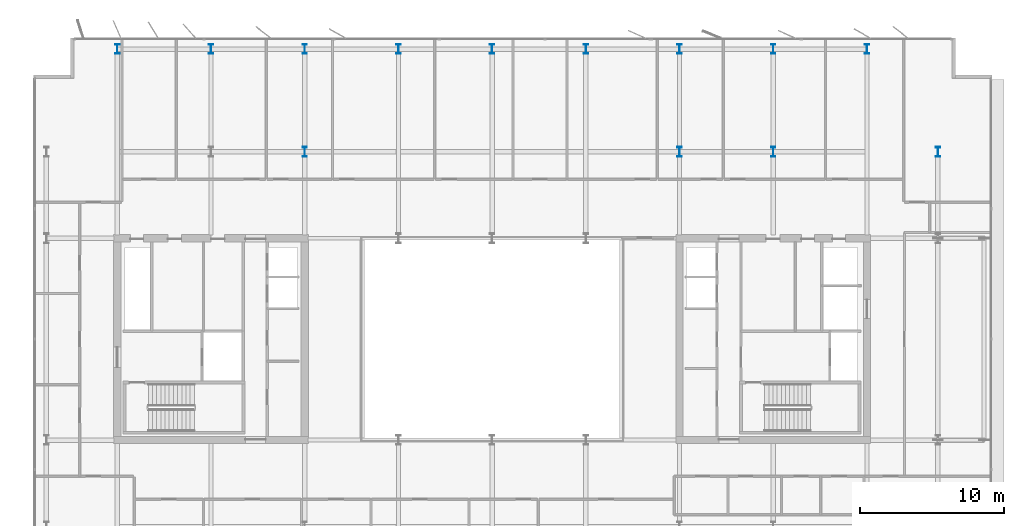
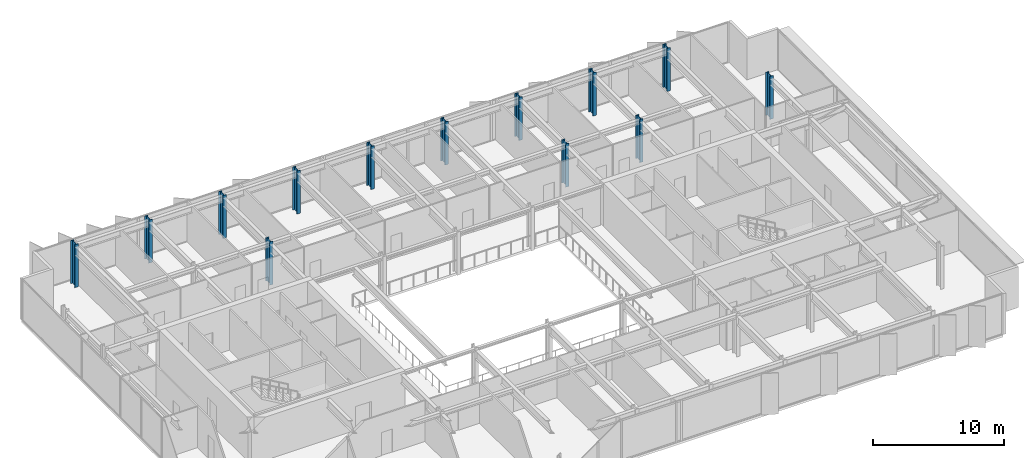
# One storey, part 3 of 20: 13 columns.
"""IFC4 building model written with IfcOpenShell, lengths in metres."""

from ifc_helpers import new_model, si_unit, direction, frame, origin, origin_2d, place, context, subcontext, project, spatial, i_section, extrude, material, material_profile, profile_set, type_object, element, save


model = new_model("IFC4")

# Units and contexts
model_context = context("Model", 3, precision=1e-05, world=origin(), true_north=direction((0.0, 1.0)))
body_context = subcontext(model_context, "Body", "Model", "MODEL_VIEW")
ifc_project = project(units=[si_unit("LENGTHUNIT", "METRE"), si_unit("AREAUNIT", "SQUARE_METRE"), si_unit("VOLUMEUNIT", "CUBIC_METRE"), si_unit("PLANEANGLEUNIT", "RADIAN"), si_unit("MASSUNIT", "GRAM", prefix="KILO")], contexts=[model_context])

# Site, building, storey
site_placement = place(None, origin())
site = spatial("IfcSite", under=ifc_project, at=site_placement, CompositionType="ELEMENT")
building_placement = place(site_placement, origin())
building = spatial("IfcBuilding", under=site, at=building_placement, Name="Putna Gate Headquarters", CompositionType="ELEMENT")
storey_placement = place(building_placement, frame((0.0, 0.0, 294.39990234375)))
storey = spatial("IfcBuildingStorey", under=building, at=storey_placement, Name="L74", CompositionType="ELEMENT", Elevation=294.39990234375)

# Columns
ifc_material = material(Name="Steel S460M", Category="steel")
ifc_material_profile_1 = material_profile(ifc_material, i_section(OverallWidth=0.304931640625, OverallDepth=0.66796875, WebThickness=0.02099609375, FlangeThickness=0.0400390625, at=origin_2d()), Name="Steel S460M")
ifc_profile_set_1 = profile_set([ifc_material_profile_1], Name="Steel S460M")
column_type_1 = type_object("IfcColumnType", Name="COL-STL-HEM650-EXT", PredefinedType="COLUMN", material=ifc_profile_set_1)
for number, where, z_axis, x_axis, name in (
    (1, (13.0, 46.1201171875, 0.0), (0.0, 0.0, 1.0), (1.0, 0.0, 0.0), "L74 Column CP-N13"),
    (2, (19.5, 46.1201171875, 0.0), (0.0, 0.0, 1.0), (1.0, 0.0, 0.0), "L74 Column CP-N19"),
    (3, (26.0, 46.1201171875, 0.0), (0.0, 0.0, 1.0), (1.0, 0.0, 0.0), "L74 Column CP-N26"),
    (4, (32.5, 46.1201171875, 0.0), (0.0, 0.0, 1.0), (1.0, 0.0, 0.0), "L74 Column CP-N32"),
    (5, (39.0, 46.1201171875, 0.0), (0.0, 0.0, 1.0), (1.0, 0.0, 0.0), "L74 Column CP-N39"),
    (6, (45.5, 46.1201171875, 0.0), (0.0, 0.0, 1.0), (1.0, 0.0, 0.0), "L74 Column CP-N45"),
    (7, (52.0, 46.1201171875, 0.0), (0.0, 0.0, 1.0), (1.0, 0.0, 0.0), "L74 Column CP-N52"),
    (8, (58.5, 46.1201171875, 0.0), (0.0, 0.0, 1.0), (1.0, 0.0, 0.0), "L74 Column CP-N58"),
    (9, (65.0, 46.1201171875, 0.0), (0.0, 0.0, 1.0), (1.0, 0.0, 0.0), "L74 Column CP-N65"),
    (10, (69.919921875, 39.0, 0.0), (0.0, 0.0, 1.0), (1.0, 0.0, 0.0), "L74 Column CP-E39"),
):
    element("IfcColumn", number, at=place(storey_placement, frame(where, z_axis=z_axis, x_axis=x_axis)), inside=storey, type_object=column_type_1, Name=name, PredefinedType="COLUMN", context=body_context, shape_type="SweptSolid", body=[
        extrude(i_section(OverallWidth=0.304931640625, OverallDepth=0.66796875, WebThickness=0.02099609375, FlangeThickness=0.0400390625, at=origin_2d()), origin(), (0.0, 0.0, 1.0), 4.0),
    ])
ifc_material_profile_2 = material_profile(ifc_material, i_section(OverallWidth=0.304931640625, OverallDepth=0.66796875, WebThickness=0.02099609375, FlangeThickness=0.0400390625, at=origin_2d()), Name="Steel S460M")
ifc_profile_set_2 = profile_set([ifc_material_profile_2], Name="Steel S460M")
column_type_2 = type_object("IfcColumnType", Name="COL-STL-HEM650-INT", PredefinedType="COLUMN", material=ifc_profile_set_2)
for number, where, z_axis, x_axis, name in (
    (11, (58.5, 39.0, 0.0), (0.0, 0.0, 1.0), (1.0, 0.0, 0.0), "L74 Column CSI-EN"),
    (12, (26.0, 39.0, 0.0), (0.0, 0.0, 1.0), (1.0, 0.0, 0.0), "L74 Column CAP-WN"),
    (13, (52.0, 39.0, 0.0), (0.0, 0.0, 1.0), (1.0, 0.0, 0.0), "L74 Column CAP-EN"),
):
    element("IfcColumn", number, at=place(storey_placement, frame(where, z_axis=z_axis, x_axis=x_axis)), inside=storey, type_object=column_type_2, Name=name, PredefinedType="COLUMN", context=body_context, shape_type="SweptSolid", body=[
        extrude(i_section(OverallWidth=0.304931640625, OverallDepth=0.66796875, WebThickness=0.02099609375, FlangeThickness=0.0400390625, at=origin_2d()), origin(), (0.0, 0.0, 1.0), 4.0),
    ])

save(model, "model.ifc")
